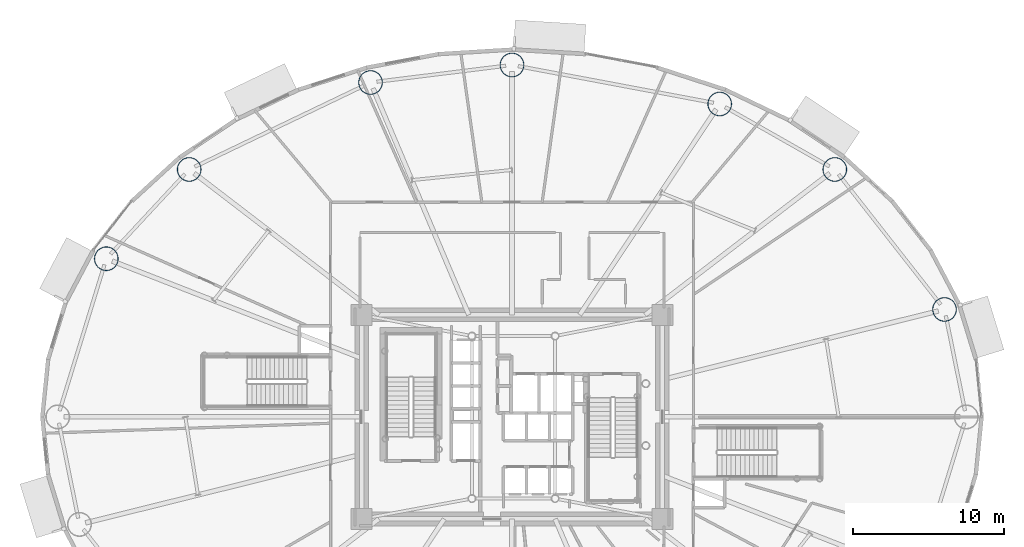
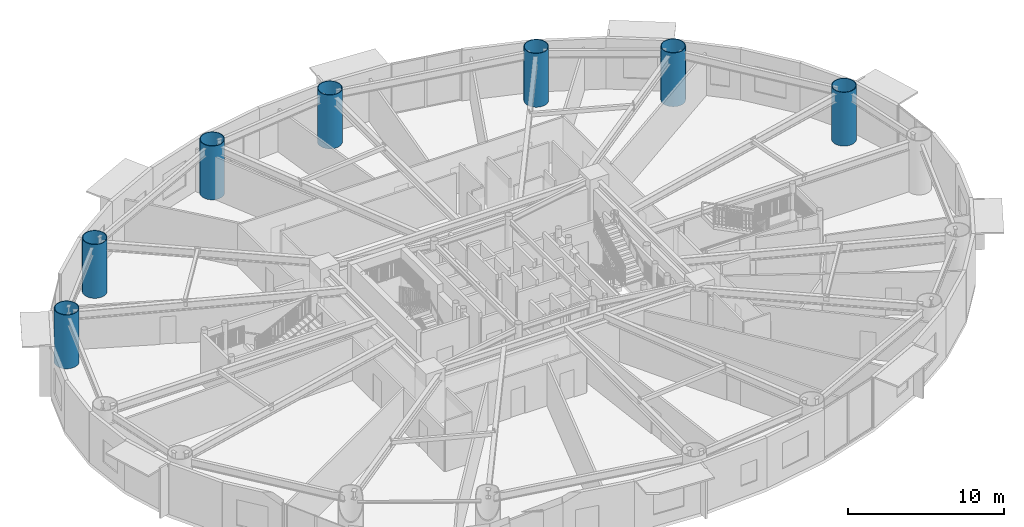
# One storey, part 3 of 32: 7 columns.
"""IFC4 building model written with IfcOpenShell, lengths in metres."""

from ifc_helpers import new_model, si_unit, direction, frame, origin, origin_2d, place, context, subcontext, project, spatial, hollow_circle, extrude, material, material_profile, profile_set, type_object, element, save


model = new_model("IFC4")

# Units and contexts
model_context = context("Model", 3, precision=1e-05, world=origin(), true_north=direction((0.0, 1.0)))
body_context = subcontext(model_context, "Body", "Model", "MODEL_VIEW")
ifc_project = project(units=[si_unit("LENGTHUNIT", "METRE"), si_unit("AREAUNIT", "SQUARE_METRE"), si_unit("VOLUMEUNIT", "CUBIC_METRE"), si_unit("PLANEANGLEUNIT", "RADIAN"), si_unit("MASSUNIT", "GRAM", prefix="KILO")], contexts=[model_context])

# Site, building, storey
site_placement = place(None, origin())
site = spatial("IfcSite", under=ifc_project, at=site_placement, CompositionType="ELEMENT")
building_placement = place(site_placement, origin())
building = spatial("IfcBuilding", under=site, at=building_placement, Name="Linh Dai School and Residence Tower", CompositionType="ELEMENT")
storey_placement = place(building_placement, frame((0.0, 0.0, 53.39990234375)))
storey = spatial("IfcBuildingStorey", under=building, at=storey_placement, Name="L12", CompositionType="ELEMENT", Elevation=53.39990234375)

# Columns
ifc_material = material(Name="Structural Steel S355JR", Category="steel")
ifc_material_profile = material_profile(ifc_material, hollow_circle(Radius=0.800048828125, WallThickness=0.044921875, at=origin_2d()), Name="CHS 1600x45")
ifc_profile_set = profile_set([ifc_material_profile], Name="Structural Steel S355JR")
column_type = type_object("IfcColumnType", Name="COL-MC2", PredefinedType="COLUMN", material=ifc_profile_set)
for number, where, z_axis, x_axis, name in (
    (1, (64.61083984375, 34.108642578125, 0.0), (0.0, 0.0, 1.0), (1.0, 0.0, 0.0), "L12 Perimeter CFT Mega-Column MC02"),
    (2, (57.352783203125, 43.369140625, 0.0), (0.0, 0.0, 1.0), (1.0, 0.0, 0.0), "L12 Perimeter CFT Mega-Column MC03"),
    (3, (49.73828125, 47.69921875, 0.0), (0.0, 0.0, 1.0), (1.0, 0.0, 0.0), "L12 Perimeter CFT Mega-Column MC04"),
    (4, (36.0, 50.280029296875, 0.0), (0.0, 0.0, 1.0), (1.0, 0.0, 0.0), "L12 Perimeter CFT Mega-Column MC05"),
    (5, (26.642333984375, 49.119873046875, 0.0), (0.0, 0.0, 1.0), (1.0, 0.0, 0.0), "L12 Perimeter CFT Mega-Column MC06"),
    (6, (14.647216796875, 43.369140625, 0.0), (0.0, 0.0, 1.0), (1.0, 0.0, 0.0), "L12 Perimeter CFT Mega-Column MC07"),
    (7, (9.16455078125, 37.4638671875, 0.0), (0.0, 0.0, 1.0), (1.0, 0.0, 0.0), "L12 Perimeter CFT Mega-Column MC08"),
):
    element("IfcColumn", number, at=place(storey_placement, frame(where, z_axis=z_axis, x_axis=x_axis)), inside=storey, type_object=column_type, Name=name, PredefinedType="COLUMN", context=body_context, shape_type="SweptSolid", body=[
        extrude(hollow_circle(Radius=0.800048828125, WallThickness=0.044921875, at=origin_2d()), origin(), (0.0, 0.0, 1.0), 4.2001953125),
    ])

save(model, "model.ifc")
